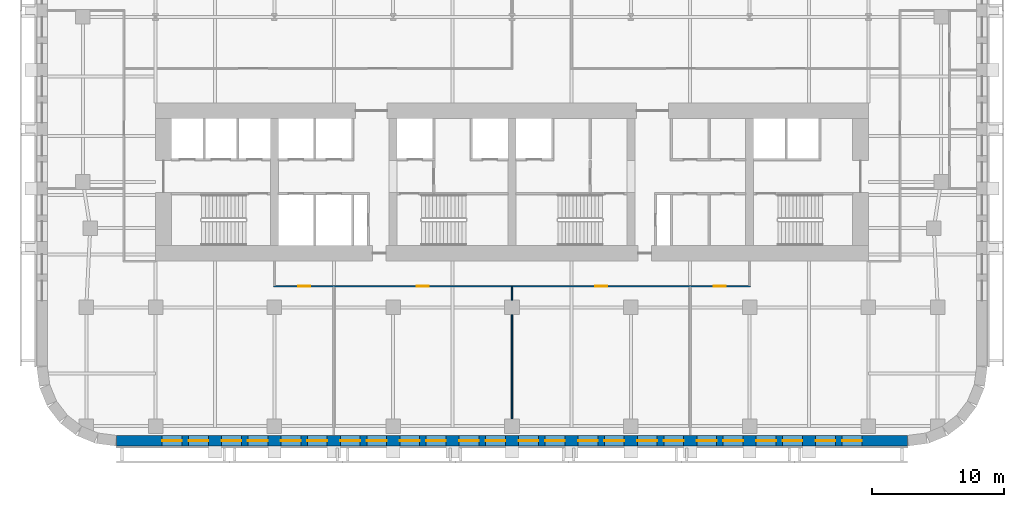
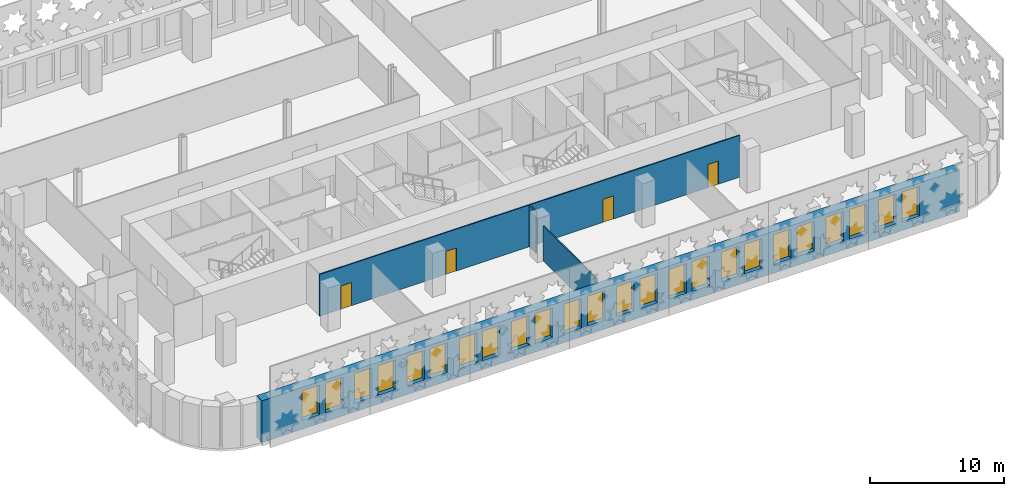
# One storey, part 5 of 15: 24 windows, 4 doors, 4 walls, 28 openings.
"""IFC4 building model written with IfcOpenShell, lengths in metres."""

from ifc_helpers import new_model, si_unit, direction, frame, frame_2d, origin, place, context, subcontext, project, spatial, rectangle, extrude, material, layer, layer_set, type_object, element, fill, save


model = new_model("IFC4")

# Units and contexts
model_context = context("Model", 3, precision=1e-05, world=origin(), true_north=direction((0.0, 1.0)))
body_context = subcontext(model_context, "Body", "Model", "MODEL_VIEW")
ifc_project = project(units=[si_unit("LENGTHUNIT", "METRE"), si_unit("AREAUNIT", "SQUARE_METRE"), si_unit("VOLUMEUNIT", "CUBIC_METRE"), si_unit("PLANEANGLEUNIT", "RADIAN"), si_unit("MASSUNIT", "GRAM", prefix="KILO")], contexts=[model_context])

# Site, building, storey
site_placement = place(None, origin())
site = spatial("IfcSite", under=ifc_project, at=site_placement, CompositionType="ELEMENT")
building_placement = place(site_placement, origin())
building = spatial("IfcBuilding", under=site, at=building_placement, Name="Zellij Exchange Tower", CompositionType="ELEMENT")
storey_placement = place(building_placement, frame((0.0, 0.0, 84.5)))
storey = spatial("IfcBuildingStorey", under=building, at=storey_placement, Name="L17", CompositionType="ELEMENT", Elevation=84.5)

# Wall, openings, windows
ifc_material_1 = material(Name="Precast concrete C40/50", Category="concrete")
ifc_layer_1 = layer(ifc_material_1, 0.800048828125)
ifc_layer_set_1 = layer_set([ifc_layer_1], Name="Precast concrete C40/50")
wall_type_1 = type_object("IfcWallType", Name="ENV-EW1 Precast stone-piered wall 800", PredefinedType="SOLIDWALL", material=ifc_layer_set_1)
wall_1_placement = place(storey_placement, frame((-29.947509765625, -27.60009765625, 0.0), z_axis=(0.0, 0.0, 1.0), x_axis=(1.0, 0.0, 0.0)))
wall_1 = element("IfcWall", 1, at=wall_1_placement, inside=storey, type_object=wall_type_1, Name="fac.L17.00", PredefinedType="SOLIDWALL", context=body_context, shape_type="SweptSolid", body=[
    extrude(rectangle(XDim=59.89501953125, YDim=0.800048828125, at=frame_2d((29.947509765625, 0.0))), origin(), (0.0, 0.0, 1.0), 3.800048828125),
])
opening_1_placement = place(wall_1_placement, frame((3.447509765625, 0.0, 0.800048828125)))
opening_1 = element("IfcOpeningElement", 2, at=opening_1_placement, cuts=wall_1, Name="Opening FZ1.01", PredefinedType="OPENING", context=body_context, shape_type="SweptSolid", body=[
    extrude(rectangle(XDim=1.5, YDim=2.699951171875, at=frame_2d((0.75, 1.35009765625))), frame((0.0, 0.412109375, 0.0), z_axis=(0.0, -1.0, 0.0), x_axis=(1.0, 0.0, 0.0)), (0.0, 0.0, 1.0), 0.823974609375),
])
opening_2_placement = place(wall_1_placement, frame((5.447509765625, 0.0, 0.800048828125)))
opening_2 = element("IfcOpeningElement", 3, at=opening_2_placement, cuts=wall_1, Name="Opening FZ1.02", PredefinedType="OPENING", context=body_context, shape_type="SweptSolid", body=[
    extrude(rectangle(XDim=1.5, YDim=2.699951171875, at=frame_2d((0.75, 1.35009765625))), frame((0.0, 0.412109375, 0.0), z_axis=(0.0, -1.0, 0.0), x_axis=(1.0, 0.0, 0.0)), (0.0, 0.0, 1.0), 0.823974609375),
])
opening_3_placement = place(wall_1_placement, frame((7.947509765625, 0.0, 0.800048828125)))
opening_3 = element("IfcOpeningElement", 4, at=opening_3_placement, cuts=wall_1, Name="Opening FZ1.03", PredefinedType="OPENING", context=body_context, shape_type="SweptSolid", body=[
    extrude(rectangle(XDim=1.5, YDim=2.699951171875, at=frame_2d((0.75, 1.35009765625))), frame((0.0, 0.412109375, 0.0), z_axis=(0.0, -1.0, 0.0), x_axis=(1.0, 0.0, 0.0)), (0.0, 0.0, 1.0), 0.823974609375),
])
opening_4_placement = place(wall_1_placement, frame((9.947509765625, 0.0, 0.800048828125)))
opening_4 = element("IfcOpeningElement", 5, at=opening_4_placement, cuts=wall_1, Name="Opening FZ1.04", PredefinedType="OPENING", context=body_context, shape_type="SweptSolid", body=[
    extrude(rectangle(XDim=1.5, YDim=2.699951171875, at=frame_2d((0.75, 1.35009765625))), frame((0.0, 0.412109375, 0.0), z_axis=(0.0, -1.0, 0.0), x_axis=(1.0, 0.0, 0.0)), (0.0, 0.0, 1.0), 0.823974609375),
])
opening_5_placement = place(wall_1_placement, frame((12.447509765625, 0.0, 0.800048828125)))
opening_5 = element("IfcOpeningElement", 6, at=opening_5_placement, cuts=wall_1, Name="Opening FZ1.05", PredefinedType="OPENING", context=body_context, shape_type="SweptSolid", body=[
    extrude(rectangle(XDim=1.5, YDim=2.699951171875, at=frame_2d((0.75, 1.35009765625))), frame((0.0, 0.412109375, 0.0), z_axis=(0.0, -1.0, 0.0), x_axis=(1.0, 0.0, 0.0)), (0.0, 0.0, 1.0), 0.823974609375),
])
opening_6_placement = place(wall_1_placement, frame((14.447509765625, 0.0, 0.800048828125)))
opening_6 = element("IfcOpeningElement", 7, at=opening_6_placement, cuts=wall_1, Name="Opening FZ1.06", PredefinedType="OPENING", context=body_context, shape_type="SweptSolid", body=[
    extrude(rectangle(XDim=1.5, YDim=2.699951171875, at=frame_2d((0.75, 1.35009765625))), frame((0.0, 0.412109375, 0.0), z_axis=(0.0, -1.0, 0.0), x_axis=(1.0, 0.0, 0.0)), (0.0, 0.0, 1.0), 0.823974609375),
])
opening_7_placement = place(wall_1_placement, frame((16.947509765625, 0.0, 0.800048828125)))
opening_7 = element("IfcOpeningElement", 8, at=opening_7_placement, cuts=wall_1, Name="Opening FZ1.07", PredefinedType="OPENING", context=body_context, shape_type="SweptSolid", body=[
    extrude(rectangle(XDim=1.5, YDim=2.699951171875, at=frame_2d((0.75, 1.35009765625))), frame((0.0, 0.412109375, 0.0), z_axis=(0.0, -1.0, 0.0), x_axis=(1.0, 0.0, 0.0)), (0.0, 0.0, 1.0), 0.823974609375),
])
opening_8_placement = place(wall_1_placement, frame((18.947509765625, 0.0, 0.800048828125)))
opening_8 = element("IfcOpeningElement", 9, at=opening_8_placement, cuts=wall_1, Name="Opening FZ1.08", PredefinedType="OPENING", context=body_context, shape_type="SweptSolid", body=[
    extrude(rectangle(XDim=1.5, YDim=2.699951171875, at=frame_2d((0.75, 1.35009765625))), frame((0.0, 0.412109375, 0.0), z_axis=(0.0, -1.0, 0.0), x_axis=(1.0, 0.0, 0.0)), (0.0, 0.0, 1.0), 0.823974609375),
])
opening_9_placement = place(wall_1_placement, frame((21.447509765625, 0.0, 0.800048828125)))
opening_9 = element("IfcOpeningElement", 10, at=opening_9_placement, cuts=wall_1, Name="Opening FZ1.09", PredefinedType="OPENING", context=body_context, shape_type="SweptSolid", body=[
    extrude(rectangle(XDim=1.5, YDim=2.699951171875, at=frame_2d((0.75, 1.35009765625))), frame((0.0, 0.412109375, 0.0), z_axis=(0.0, -1.0, 0.0), x_axis=(1.0, 0.0, 0.0)), (0.0, 0.0, 1.0), 0.823974609375),
])
opening_10_placement = place(wall_1_placement, frame((23.447509765625, 0.0, 0.800048828125)))
opening_10 = element("IfcOpeningElement", 11, at=opening_10_placement, cuts=wall_1, Name="Opening FZ1.10", PredefinedType="OPENING", context=body_context, shape_type="SweptSolid", body=[
    extrude(rectangle(XDim=1.5, YDim=2.699951171875, at=frame_2d((0.75, 1.35009765625))), frame((0.0, 0.412109375, 0.0), z_axis=(0.0, -1.0, 0.0), x_axis=(1.0, 0.0, 0.0)), (0.0, 0.0, 1.0), 0.823974609375),
])
opening_11_placement = place(wall_1_placement, frame((25.947509765625, 0.0, 0.800048828125)))
opening_11 = element("IfcOpeningElement", 12, at=opening_11_placement, cuts=wall_1, Name="Opening FZ1.11", PredefinedType="OPENING", context=body_context, shape_type="SweptSolid", body=[
    extrude(rectangle(XDim=1.5, YDim=2.699951171875, at=frame_2d((0.75, 1.35009765625))), frame((0.0, 0.412109375, 0.0), z_axis=(0.0, -1.0, 0.0), x_axis=(1.0, 0.0, 0.0)), (0.0, 0.0, 1.0), 0.823974609375),
])
opening_12_placement = place(wall_1_placement, frame((27.947509765625, 0.0, 0.800048828125)))
opening_12 = element("IfcOpeningElement", 13, at=opening_12_placement, cuts=wall_1, Name="Opening FZ1.12", PredefinedType="OPENING", context=body_context, shape_type="SweptSolid", body=[
    extrude(rectangle(XDim=1.5, YDim=2.699951171875, at=frame_2d((0.75, 1.35009765625))), frame((0.0, 0.412109375, 0.0), z_axis=(0.0, -1.0, 0.0), x_axis=(1.0, 0.0, 0.0)), (0.0, 0.0, 1.0), 0.823974609375),
])
opening_13_placement = place(wall_1_placement, frame((30.447509765625, 0.0, 0.800048828125)))
opening_13 = element("IfcOpeningElement", 14, at=opening_13_placement, cuts=wall_1, Name="Opening FZ1.13", PredefinedType="OPENING", context=body_context, shape_type="SweptSolid", body=[
    extrude(rectangle(XDim=1.5, YDim=2.699951171875, at=frame_2d((0.75, 1.35009765625))), frame((0.0, 0.412109375, 0.0), z_axis=(0.0, -1.0, 0.0), x_axis=(1.0, 0.0, 0.0)), (0.0, 0.0, 1.0), 0.823974609375),
])
opening_14_placement = place(wall_1_placement, frame((32.447509765625, 0.0, 0.800048828125)))
opening_14 = element("IfcOpeningElement", 15, at=opening_14_placement, cuts=wall_1, Name="Opening FZ1.14", PredefinedType="OPENING", context=body_context, shape_type="SweptSolid", body=[
    extrude(rectangle(XDim=1.5, YDim=2.699951171875, at=frame_2d((0.75, 1.35009765625))), frame((0.0, 0.412109375, 0.0), z_axis=(0.0, -1.0, 0.0), x_axis=(1.0, 0.0, 0.0)), (0.0, 0.0, 1.0), 0.823974609375),
])
opening_15_placement = place(wall_1_placement, frame((34.947509765625, 0.0, 0.800048828125)))
opening_15 = element("IfcOpeningElement", 16, at=opening_15_placement, cuts=wall_1, Name="Opening FZ1.15", PredefinedType="OPENING", context=body_context, shape_type="SweptSolid", body=[
    extrude(rectangle(XDim=1.5, YDim=2.699951171875, at=frame_2d((0.75, 1.35009765625))), frame((0.0, 0.412109375, 0.0), z_axis=(0.0, -1.0, 0.0), x_axis=(1.0, 0.0, 0.0)), (0.0, 0.0, 1.0), 0.823974609375),
])
opening_16_placement = place(wall_1_placement, frame((36.947509765625, 0.0, 0.800048828125)))
opening_16 = element("IfcOpeningElement", 17, at=opening_16_placement, cuts=wall_1, Name="Opening FZ1.16", PredefinedType="OPENING", context=body_context, shape_type="SweptSolid", body=[
    extrude(rectangle(XDim=1.5, YDim=2.699951171875, at=frame_2d((0.75, 1.35009765625))), frame((0.0, 0.412109375, 0.0), z_axis=(0.0, -1.0, 0.0), x_axis=(1.0, 0.0, 0.0)), (0.0, 0.0, 1.0), 0.823974609375),
])
opening_17_placement = place(wall_1_placement, frame((39.447509765625, 0.0, 0.800048828125)))
opening_17 = element("IfcOpeningElement", 18, at=opening_17_placement, cuts=wall_1, Name="Opening FZ1.17", PredefinedType="OPENING", context=body_context, shape_type="SweptSolid", body=[
    extrude(rectangle(XDim=1.5, YDim=2.699951171875, at=frame_2d((0.75, 1.35009765625))), frame((0.0, 0.412109375, 0.0), z_axis=(0.0, -1.0, 0.0), x_axis=(1.0, 0.0, 0.0)), (0.0, 0.0, 1.0), 0.823974609375),
])
opening_18_placement = place(wall_1_placement, frame((41.447509765625, 0.0, 0.800048828125)))
opening_18 = element("IfcOpeningElement", 19, at=opening_18_placement, cuts=wall_1, Name="Opening FZ1.18", PredefinedType="OPENING", context=body_context, shape_type="SweptSolid", body=[
    extrude(rectangle(XDim=1.5, YDim=2.699951171875, at=frame_2d((0.75, 1.35009765625))), frame((0.0, 0.412109375, 0.0), z_axis=(0.0, -1.0, 0.0), x_axis=(1.0, 0.0, 0.0)), (0.0, 0.0, 1.0), 0.823974609375),
])
opening_19_placement = place(wall_1_placement, frame((43.947509765625, 0.0, 0.800048828125)))
opening_19 = element("IfcOpeningElement", 20, at=opening_19_placement, cuts=wall_1, Name="Opening FZ1.19", PredefinedType="OPENING", context=body_context, shape_type="SweptSolid", body=[
    extrude(rectangle(XDim=1.5, YDim=2.699951171875, at=frame_2d((0.75, 1.35009765625))), frame((0.0, 0.412109375, 0.0), z_axis=(0.0, -1.0, 0.0), x_axis=(1.0, 0.0, 0.0)), (0.0, 0.0, 1.0), 0.823974609375),
])
opening_20_placement = place(wall_1_placement, frame((45.947509765625, 0.0, 0.800048828125)))
opening_20 = element("IfcOpeningElement", 21, at=opening_20_placement, cuts=wall_1, Name="Opening FZ1.20", PredefinedType="OPENING", context=body_context, shape_type="SweptSolid", body=[
    extrude(rectangle(XDim=1.5, YDim=2.699951171875, at=frame_2d((0.75, 1.35009765625))), frame((0.0, 0.412109375, 0.0), z_axis=(0.0, -1.0, 0.0), x_axis=(1.0, 0.0, 0.0)), (0.0, 0.0, 1.0), 0.823974609375),
])
opening_21_placement = place(wall_1_placement, frame((48.447509765625, 0.0, 0.800048828125)))
opening_21 = element("IfcOpeningElement", 22, at=opening_21_placement, cuts=wall_1, Name="Opening FZ1.21", PredefinedType="OPENING", context=body_context, shape_type="SweptSolid", body=[
    extrude(rectangle(XDim=1.5, YDim=2.699951171875, at=frame_2d((0.75, 1.35009765625))), frame((0.0, 0.412109375, 0.0), z_axis=(0.0, -1.0, 0.0), x_axis=(1.0, 0.0, 0.0)), (0.0, 0.0, 1.0), 0.823974609375),
])
opening_22_placement = place(wall_1_placement, frame((50.447509765625, 0.0, 0.800048828125)))
opening_22 = element("IfcOpeningElement", 23, at=opening_22_placement, cuts=wall_1, Name="Opening FZ1.22", PredefinedType="OPENING", context=body_context, shape_type="SweptSolid", body=[
    extrude(rectangle(XDim=1.5, YDim=2.699951171875, at=frame_2d((0.75, 1.35009765625))), frame((0.0, 0.412109375, 0.0), z_axis=(0.0, -1.0, 0.0), x_axis=(1.0, 0.0, 0.0)), (0.0, 0.0, 1.0), 0.823974609375),
])
opening_23_placement = place(wall_1_placement, frame((52.947509765625, 0.0, 0.800048828125)))
opening_23 = element("IfcOpeningElement", 24, at=opening_23_placement, cuts=wall_1, Name="Opening FZ1.23", PredefinedType="OPENING", context=body_context, shape_type="SweptSolid", body=[
    extrude(rectangle(XDim=1.5, YDim=2.699951171875, at=frame_2d((0.75, 1.35009765625))), frame((0.0, 0.412109375, 0.0), z_axis=(0.0, -1.0, 0.0), x_axis=(1.0, 0.0, 0.0)), (0.0, 0.0, 1.0), 0.823974609375),
])
opening_24_placement = place(wall_1_placement, frame((54.947509765625, 0.0, 0.800048828125)))
opening_24 = element("IfcOpeningElement", 25, at=opening_24_placement, cuts=wall_1, Name="Opening FZ1.24", PredefinedType="OPENING", context=body_context, shape_type="SweptSolid", body=[
    extrude(rectangle(XDim=1.5, YDim=2.699951171875, at=frame_2d((0.75, 1.35009765625))), frame((0.0, 0.412109375, 0.0), z_axis=(0.0, -1.0, 0.0), x_axis=(1.0, 0.0, 0.0)), (0.0, 0.0, 1.0), 0.823974609375),
])
ifc_material_2 = material(Name="Aluminium frame with insulating glass", Category="aluminium")
window_type = type_object("IfcWindowType", Name="ENV-W6 Window 1500x2700", PartitioningType="SINGLE_PANEL", PredefinedType="WINDOW", material=ifc_material_2)
window_1_placement = place(opening_1_placement, origin())
window_1 = element("IfcWindow", 26, at=window_1_placement, inside=storey, type_object=window_type, Name="Window FZ1.01", OverallHeight=2.699951171875, OverallWidth=1.5, PartitioningType="SINGLE_PANEL", PredefinedType="WINDOW", context=body_context, shape_type="SweptSolid", body=[
    extrude(rectangle(XDim=1.5, YDim=2.699951171875, at=frame_2d((0.75, 1.35009765625))), frame((0.0, 0.030029296875, 0.0), z_axis=(0.0, -1.0, 0.0), x_axis=(1.0, 0.0, 0.0)), (0.0, 0.0, 1.0), 0.06005859375),
])
fill(opening_1, window_1)
window_2_placement = place(opening_2_placement, origin())
window_2 = element("IfcWindow", 27, at=window_2_placement, inside=storey, type_object=window_type, Name="Window FZ1.02", OverallHeight=2.699951171875, OverallWidth=1.5, PartitioningType="SINGLE_PANEL", PredefinedType="WINDOW", context=body_context, shape_type="SweptSolid", body=[
    extrude(rectangle(XDim=1.5, YDim=2.699951171875, at=frame_2d((0.75, 1.35009765625))), frame((0.0, 0.030029296875, 0.0), z_axis=(0.0, -1.0, 0.0), x_axis=(1.0, 0.0, 0.0)), (0.0, 0.0, 1.0), 0.06005859375),
])
fill(opening_2, window_2)
window_3_placement = place(opening_3_placement, origin())
window_3 = element("IfcWindow", 28, at=window_3_placement, inside=storey, type_object=window_type, Name="Window FZ1.03", OverallHeight=2.699951171875, OverallWidth=1.5, PartitioningType="SINGLE_PANEL", PredefinedType="WINDOW", context=body_context, shape_type="SweptSolid", body=[
    extrude(rectangle(XDim=1.5, YDim=2.699951171875, at=frame_2d((0.75, 1.35009765625))), frame((0.0, 0.030029296875, 0.0), z_axis=(0.0, -1.0, 0.0), x_axis=(1.0, 0.0, 0.0)), (0.0, 0.0, 1.0), 0.06005859375),
])
fill(opening_3, window_3)
window_4_placement = place(opening_4_placement, origin())
window_4 = element("IfcWindow", 29, at=window_4_placement, inside=storey, type_object=window_type, Name="Window FZ1.04", OverallHeight=2.699951171875, OverallWidth=1.5, PartitioningType="SINGLE_PANEL", PredefinedType="WINDOW", context=body_context, shape_type="SweptSolid", body=[
    extrude(rectangle(XDim=1.5, YDim=2.699951171875, at=frame_2d((0.75, 1.35009765625))), frame((0.0, 0.030029296875, 0.0), z_axis=(0.0, -1.0, 0.0), x_axis=(1.0, 0.0, 0.0)), (0.0, 0.0, 1.0), 0.06005859375),
])
fill(opening_4, window_4)
window_5_placement = place(opening_5_placement, origin())
window_5 = element("IfcWindow", 30, at=window_5_placement, inside=storey, type_object=window_type, Name="Window FZ1.05", OverallHeight=2.699951171875, OverallWidth=1.5, PartitioningType="SINGLE_PANEL", PredefinedType="WINDOW", context=body_context, shape_type="SweptSolid", body=[
    extrude(rectangle(XDim=1.5, YDim=2.699951171875, at=frame_2d((0.75, 1.35009765625))), frame((0.0, 0.030029296875, 0.0), z_axis=(0.0, -1.0, 0.0), x_axis=(1.0, 0.0, 0.0)), (0.0, 0.0, 1.0), 0.06005859375),
])
fill(opening_5, window_5)
window_6_placement = place(opening_6_placement, origin())
window_6 = element("IfcWindow", 31, at=window_6_placement, inside=storey, type_object=window_type, Name="Window FZ1.06", OverallHeight=2.699951171875, OverallWidth=1.5, PartitioningType="SINGLE_PANEL", PredefinedType="WINDOW", context=body_context, shape_type="SweptSolid", body=[
    extrude(rectangle(XDim=1.5, YDim=2.699951171875, at=frame_2d((0.75, 1.35009765625))), frame((0.0, 0.030029296875, 0.0), z_axis=(0.0, -1.0, 0.0), x_axis=(1.0, 0.0, 0.0)), (0.0, 0.0, 1.0), 0.06005859375),
])
fill(opening_6, window_6)
window_7_placement = place(opening_7_placement, origin())
window_7 = element("IfcWindow", 32, at=window_7_placement, inside=storey, type_object=window_type, Name="Window FZ1.07", OverallHeight=2.699951171875, OverallWidth=1.5, PartitioningType="SINGLE_PANEL", PredefinedType="WINDOW", context=body_context, shape_type="SweptSolid", body=[
    extrude(rectangle(XDim=1.5, YDim=2.699951171875, at=frame_2d((0.75, 1.35009765625))), frame((0.0, 0.030029296875, 0.0), z_axis=(0.0, -1.0, 0.0), x_axis=(1.0, 0.0, 0.0)), (0.0, 0.0, 1.0), 0.06005859375),
])
fill(opening_7, window_7)
window_8_placement = place(opening_8_placement, origin())
window_8 = element("IfcWindow", 33, at=window_8_placement, inside=storey, type_object=window_type, Name="Window FZ1.08", OverallHeight=2.699951171875, OverallWidth=1.5, PartitioningType="SINGLE_PANEL", PredefinedType="WINDOW", context=body_context, shape_type="SweptSolid", body=[
    extrude(rectangle(XDim=1.5, YDim=2.699951171875, at=frame_2d((0.75, 1.35009765625))), frame((0.0, 0.030029296875, 0.0), z_axis=(0.0, -1.0, 0.0), x_axis=(1.0, 0.0, 0.0)), (0.0, 0.0, 1.0), 0.06005859375),
])
fill(opening_8, window_8)
window_9_placement = place(opening_9_placement, origin())
window_9 = element("IfcWindow", 34, at=window_9_placement, inside=storey, type_object=window_type, Name="Window FZ1.09", OverallHeight=2.699951171875, OverallWidth=1.5, PartitioningType="SINGLE_PANEL", PredefinedType="WINDOW", context=body_context, shape_type="SweptSolid", body=[
    extrude(rectangle(XDim=1.5, YDim=2.699951171875, at=frame_2d((0.75, 1.35009765625))), frame((0.0, 0.030029296875, 0.0), z_axis=(0.0, -1.0, 0.0), x_axis=(1.0, 0.0, 0.0)), (0.0, 0.0, 1.0), 0.06005859375),
])
fill(opening_9, window_9)
window_10_placement = place(opening_10_placement, origin())
window_10 = element("IfcWindow", 35, at=window_10_placement, inside=storey, type_object=window_type, Name="Window FZ1.10", OverallHeight=2.699951171875, OverallWidth=1.5, PartitioningType="SINGLE_PANEL", PredefinedType="WINDOW", context=body_context, shape_type="SweptSolid", body=[
    extrude(rectangle(XDim=1.5, YDim=2.699951171875, at=frame_2d((0.75, 1.35009765625))), frame((0.0, 0.030029296875, 0.0), z_axis=(0.0, -1.0, 0.0), x_axis=(1.0, 0.0, 0.0)), (0.0, 0.0, 1.0), 0.06005859375),
])
fill(opening_10, window_10)
window_11_placement = place(opening_11_placement, origin())
window_11 = element("IfcWindow", 36, at=window_11_placement, inside=storey, type_object=window_type, Name="Window FZ1.11", OverallHeight=2.699951171875, OverallWidth=1.5, PartitioningType="SINGLE_PANEL", PredefinedType="WINDOW", context=body_context, shape_type="SweptSolid", body=[
    extrude(rectangle(XDim=1.5, YDim=2.699951171875, at=frame_2d((0.75, 1.35009765625))), frame((0.0, 0.030029296875, 0.0), z_axis=(0.0, -1.0, 0.0), x_axis=(1.0, 0.0, 0.0)), (0.0, 0.0, 1.0), 0.06005859375),
])
fill(opening_11, window_11)
window_12_placement = place(opening_12_placement, origin())
window_12 = element("IfcWindow", 37, at=window_12_placement, inside=storey, type_object=window_type, Name="Window FZ1.12", OverallHeight=2.699951171875, OverallWidth=1.5, PartitioningType="SINGLE_PANEL", PredefinedType="WINDOW", context=body_context, shape_type="SweptSolid", body=[
    extrude(rectangle(XDim=1.5, YDim=2.699951171875, at=frame_2d((0.75, 1.35009765625))), frame((0.0, 0.030029296875, 0.0), z_axis=(0.0, -1.0, 0.0), x_axis=(1.0, 0.0, 0.0)), (0.0, 0.0, 1.0), 0.06005859375),
])
fill(opening_12, window_12)
window_13_placement = place(opening_13_placement, origin())
window_13 = element("IfcWindow", 38, at=window_13_placement, inside=storey, type_object=window_type, Name="Window FZ1.13", OverallHeight=2.699951171875, OverallWidth=1.5, PartitioningType="SINGLE_PANEL", PredefinedType="WINDOW", context=body_context, shape_type="SweptSolid", body=[
    extrude(rectangle(XDim=1.5, YDim=2.699951171875, at=frame_2d((0.75, 1.35009765625))), frame((0.0, 0.030029296875, 0.0), z_axis=(0.0, -1.0, 0.0), x_axis=(1.0, 0.0, 0.0)), (0.0, 0.0, 1.0), 0.06005859375),
])
fill(opening_13, window_13)
window_14_placement = place(opening_14_placement, origin())
window_14 = element("IfcWindow", 39, at=window_14_placement, inside=storey, type_object=window_type, Name="Window FZ1.14", OverallHeight=2.699951171875, OverallWidth=1.5, PartitioningType="SINGLE_PANEL", PredefinedType="WINDOW", context=body_context, shape_type="SweptSolid", body=[
    extrude(rectangle(XDim=1.5, YDim=2.699951171875, at=frame_2d((0.75, 1.35009765625))), frame((0.0, 0.030029296875, 0.0), z_axis=(0.0, -1.0, 0.0), x_axis=(1.0, 0.0, 0.0)), (0.0, 0.0, 1.0), 0.06005859375),
])
fill(opening_14, window_14)
window_15_placement = place(opening_15_placement, origin())
window_15 = element("IfcWindow", 40, at=window_15_placement, inside=storey, type_object=window_type, Name="Window FZ1.15", OverallHeight=2.699951171875, OverallWidth=1.5, PartitioningType="SINGLE_PANEL", PredefinedType="WINDOW", context=body_context, shape_type="SweptSolid", body=[
    extrude(rectangle(XDim=1.5, YDim=2.699951171875, at=frame_2d((0.75, 1.35009765625))), frame((0.0, 0.030029296875, 0.0), z_axis=(0.0, -1.0, 0.0), x_axis=(1.0, 0.0, 0.0)), (0.0, 0.0, 1.0), 0.06005859375),
])
fill(opening_15, window_15)
window_16_placement = place(opening_16_placement, origin())
window_16 = element("IfcWindow", 41, at=window_16_placement, inside=storey, type_object=window_type, Name="Window FZ1.16", OverallHeight=2.699951171875, OverallWidth=1.5, PartitioningType="SINGLE_PANEL", PredefinedType="WINDOW", context=body_context, shape_type="SweptSolid", body=[
    extrude(rectangle(XDim=1.5, YDim=2.699951171875, at=frame_2d((0.75, 1.35009765625))), frame((0.0, 0.030029296875, 0.0), z_axis=(0.0, -1.0, 0.0), x_axis=(1.0, 0.0, 0.0)), (0.0, 0.0, 1.0), 0.06005859375),
])
fill(opening_16, window_16)
window_17_placement = place(opening_17_placement, origin())
window_17 = element("IfcWindow", 42, at=window_17_placement, inside=storey, type_object=window_type, Name="Window FZ1.17", OverallHeight=2.699951171875, OverallWidth=1.5, PartitioningType="SINGLE_PANEL", PredefinedType="WINDOW", context=body_context, shape_type="SweptSolid", body=[
    extrude(rectangle(XDim=1.5, YDim=2.699951171875, at=frame_2d((0.75, 1.35009765625))), frame((0.0, 0.030029296875, 0.0), z_axis=(0.0, -1.0, 0.0), x_axis=(1.0, 0.0, 0.0)), (0.0, 0.0, 1.0), 0.06005859375),
])
fill(opening_17, window_17)
window_18_placement = place(opening_18_placement, origin())
window_18 = element("IfcWindow", 43, at=window_18_placement, inside=storey, type_object=window_type, Name="Window FZ1.18", OverallHeight=2.699951171875, OverallWidth=1.5, PartitioningType="SINGLE_PANEL", PredefinedType="WINDOW", context=body_context, shape_type="SweptSolid", body=[
    extrude(rectangle(XDim=1.5, YDim=2.699951171875, at=frame_2d((0.75, 1.35009765625))), frame((0.0, 0.030029296875, 0.0), z_axis=(0.0, -1.0, 0.0), x_axis=(1.0, 0.0, 0.0)), (0.0, 0.0, 1.0), 0.06005859375),
])
fill(opening_18, window_18)
window_19_placement = place(opening_19_placement, origin())
window_19 = element("IfcWindow", 44, at=window_19_placement, inside=storey, type_object=window_type, Name="Window FZ1.19", OverallHeight=2.699951171875, OverallWidth=1.5, PartitioningType="SINGLE_PANEL", PredefinedType="WINDOW", context=body_context, shape_type="SweptSolid", body=[
    extrude(rectangle(XDim=1.5, YDim=2.699951171875, at=frame_2d((0.75, 1.35009765625))), frame((0.0, 0.030029296875, 0.0), z_axis=(0.0, -1.0, 0.0), x_axis=(1.0, 0.0, 0.0)), (0.0, 0.0, 1.0), 0.06005859375),
])
fill(opening_19, window_19)
window_20_placement = place(opening_20_placement, origin())
window_20 = element("IfcWindow", 45, at=window_20_placement, inside=storey, type_object=window_type, Name="Window FZ1.20", OverallHeight=2.699951171875, OverallWidth=1.5, PartitioningType="SINGLE_PANEL", PredefinedType="WINDOW", context=body_context, shape_type="SweptSolid", body=[
    extrude(rectangle(XDim=1.5, YDim=2.699951171875, at=frame_2d((0.75, 1.35009765625))), frame((0.0, 0.030029296875, 0.0), z_axis=(0.0, -1.0, 0.0), x_axis=(1.0, 0.0, 0.0)), (0.0, 0.0, 1.0), 0.06005859375),
])
fill(opening_20, window_20)
window_21_placement = place(opening_21_placement, origin())
window_21 = element("IfcWindow", 46, at=window_21_placement, inside=storey, type_object=window_type, Name="Window FZ1.21", OverallHeight=2.699951171875, OverallWidth=1.5, PartitioningType="SINGLE_PANEL", PredefinedType="WINDOW", context=body_context, shape_type="SweptSolid", body=[
    extrude(rectangle(XDim=1.5, YDim=2.699951171875, at=frame_2d((0.75, 1.35009765625))), frame((0.0, 0.030029296875, 0.0), z_axis=(0.0, -1.0, 0.0), x_axis=(1.0, 0.0, 0.0)), (0.0, 0.0, 1.0), 0.06005859375),
])
fill(opening_21, window_21)
window_22_placement = place(opening_22_placement, origin())
window_22 = element("IfcWindow", 47, at=window_22_placement, inside=storey, type_object=window_type, Name="Window FZ1.22", OverallHeight=2.699951171875, OverallWidth=1.5, PartitioningType="SINGLE_PANEL", PredefinedType="WINDOW", context=body_context, shape_type="SweptSolid", body=[
    extrude(rectangle(XDim=1.5, YDim=2.699951171875, at=frame_2d((0.75, 1.35009765625))), frame((0.0, 0.030029296875, 0.0), z_axis=(0.0, -1.0, 0.0), x_axis=(1.0, 0.0, 0.0)), (0.0, 0.0, 1.0), 0.06005859375),
])
fill(opening_22, window_22)
window_23_placement = place(opening_23_placement, origin())
window_23 = element("IfcWindow", 48, at=window_23_placement, inside=storey, type_object=window_type, Name="Window FZ1.23", OverallHeight=2.699951171875, OverallWidth=1.5, PartitioningType="SINGLE_PANEL", PredefinedType="WINDOW", context=body_context, shape_type="SweptSolid", body=[
    extrude(rectangle(XDim=1.5, YDim=2.699951171875, at=frame_2d((0.75, 1.35009765625))), frame((0.0, 0.030029296875, 0.0), z_axis=(0.0, -1.0, 0.0), x_axis=(1.0, 0.0, 0.0)), (0.0, 0.0, 1.0), 0.06005859375),
])
fill(opening_23, window_23)
window_24_placement = place(opening_24_placement, origin())
window_24 = element("IfcWindow", 49, at=window_24_placement, inside=storey, type_object=window_type, Name="Window FZ1.24", OverallHeight=2.699951171875, OverallWidth=1.5, PartitioningType="SINGLE_PANEL", PredefinedType="WINDOW", context=body_context, shape_type="SweptSolid", body=[
    extrude(rectangle(XDim=1.5, YDim=2.699951171875, at=frame_2d((0.75, 1.35009765625))), frame((0.0, 0.030029296875, 0.0), z_axis=(0.0, -1.0, 0.0), x_axis=(1.0, 0.0, 0.0)), (0.0, 0.0, 1.0), 0.06005859375),
])
fill(opening_24, window_24)

# Walls
ifc_material_3 = material(Name="Gypsum board partition on steel studs", Category="steel")
ifc_layer_2 = layer(ifc_material_3, 0.10009765625)
ifc_layer_set_2 = layer_set([ifc_layer_2], Name="Gypsum board partition on steel studs")
wall_type_2 = type_object("IfcWallType", Name="FIT-PARTITION-100", PredefinedType="PARTITIONING", material=ifc_layer_set_2)
wall_2_placement = place(storey_placement, frame((0.0, -25.949951171875, 0.0), z_axis=(0.0, 0.0, 1.0), x_axis=(0.0, 1.0, 0.0)))
element("IfcWall", 50, at=wall_2_placement, inside=storey, type_object=wall_type_2, Name="FIT-PARTITION-100 003", PredefinedType="PARTITIONING", context=body_context, shape_type="SweptSolid", body=[
    extrude(rectangle(XDim=7.89990234375, YDim=0.10009765625, at=frame_2d((3.949951171875, 0.0))), origin(), (0.0, 0.0, 1.0), 3.18798828125),
])
wall_3_placement = place(storey_placement, frame((0.0, -16.949951171875, 0.0), z_axis=(0.0, 0.0, 1.0), x_axis=(0.0, 1.0, 0.0)))
element("IfcWall", 51, at=wall_3_placement, inside=storey, type_object=wall_type_2, Name="FIT-PARTITION-100 004", PredefinedType="PARTITIONING", context=body_context, shape_type="SweptSolid", body=[
    extrude(rectangle(XDim=1.0, YDim=0.10009765625, at=frame_2d((0.5, 0.0))), origin(), (0.0, 0.0, 1.0), 3.800048828125),
])

# Wall, openings, doors
wall_4_placement = place(storey_placement, frame((-18.050048828125, -15.89990234375, 0.0), z_axis=(0.0, 0.0, 1.0), x_axis=(1.0, 0.0, 0.0)))
wall_4 = element("IfcWall", 52, at=wall_4_placement, inside=storey, type_object=wall_type_2, Name="FIT-PARTITION-100 007", PredefinedType="PARTITIONING", context=body_context, shape_type="SweptSolid", body=[
    extrude(rectangle(XDim=36.10009765625, YDim=0.10009765625, at=frame_2d((18.050048828125, 0.0))), origin(), (0.0, 0.0, 1.0), 3.800048828125),
])
opening_25_placement = place(wall_4_placement, frame((1.85009765625, 0.0, 0.0)))
opening_25 = element("IfcOpeningElement", 53, at=opening_25_placement, cuts=wall_4, Name="Opening TC.01", PredefinedType="OPENING", context=body_context, shape_type="SweptSolid", body=[
    extrude(rectangle(XDim=0.89990234375, YDim=2.10009765625, at=frame_2d((0.449951171875, 1.050048828125))), frame((0.0, 0.06201171875, 0.0), z_axis=(0.0, -1.0, 0.0), x_axis=(1.0, 0.0, 0.0)), (0.0, 0.0, 1.0), 0.1240234375),
])
opening_26_placement = place(wall_4_placement, frame((10.85009765625, 0.0, 0.0)))
opening_26 = element("IfcOpeningElement", 54, at=opening_26_placement, cuts=wall_4, Name="Opening TC.02", PredefinedType="OPENING", context=body_context, shape_type="SweptSolid", body=[
    extrude(rectangle(XDim=0.89990234375, YDim=2.10009765625, at=frame_2d((0.449951171875, 1.050048828125))), frame((0.0, 0.06201171875, 0.0), z_axis=(0.0, -1.0, 0.0), x_axis=(1.0, 0.0, 0.0)), (0.0, 0.0, 1.0), 0.1240234375),
])
opening_27_placement = place(wall_4_placement, frame((24.35009765625, 0.0, 0.0)))
opening_27 = element("IfcOpeningElement", 55, at=opening_27_placement, cuts=wall_4, Name="Opening TC.03", PredefinedType="OPENING", context=body_context, shape_type="SweptSolid", body=[
    extrude(rectangle(XDim=0.89990234375, YDim=2.10009765625, at=frame_2d((0.449951171875, 1.050048828125))), frame((0.0, 0.06201171875, 0.0), z_axis=(0.0, -1.0, 0.0), x_axis=(1.0, 0.0, 0.0)), (0.0, 0.0, 1.0), 0.1240234375),
])
opening_28_placement = place(wall_4_placement, frame((33.35009765625, 0.0, 0.0)))
opening_28 = element("IfcOpeningElement", 56, at=opening_28_placement, cuts=wall_4, Name="Opening TC.04", PredefinedType="OPENING", context=body_context, shape_type="SweptSolid", body=[
    extrude(rectangle(XDim=0.89990234375, YDim=2.10009765625, at=frame_2d((0.449951171875, 1.050048828125))), frame((0.0, 0.06201171875, 0.0), z_axis=(0.0, -1.0, 0.0), x_axis=(1.0, 0.0, 0.0)), (0.0, 0.0, 1.0), 0.1240234375),
])
ifc_material_4 = material(Name="Timber door set", Category="wood")
door_type = type_object("IfcDoorType", Name="FIT-D1-ROOM-900X2100", OperationType="SINGLE_SWING_LEFT", PredefinedType="DOOR", material=ifc_material_4)
door_1_placement = place(opening_25_placement, origin())
door_1 = element("IfcDoor", 57, at=door_1_placement, inside=storey, type_object=door_type, Name="Door TC.01", OperationType="SINGLE_SWING_LEFT", OverallHeight=2.10009765625, OverallWidth=0.89990234375, PredefinedType="DOOR", context=body_context, shape_type="SweptSolid", body=[
    extrude(rectangle(XDim=0.89990234375, YDim=2.10009765625, at=frame_2d((0.449951171875, 1.050048828125))), frame((0.0, 0.02490234375, 0.0), z_axis=(0.0, -1.0, 0.0), x_axis=(1.0, 0.0, 0.0)), (0.0, 0.0, 1.0), 0.050048828125),
])
fill(opening_25, door_1)
door_2_placement = place(opening_26_placement, origin())
door_2 = element("IfcDoor", 58, at=door_2_placement, inside=storey, type_object=door_type, Name="Door TC.02", OperationType="SINGLE_SWING_LEFT", OverallHeight=2.10009765625, OverallWidth=0.89990234375, PredefinedType="DOOR", context=body_context, shape_type="SweptSolid", body=[
    extrude(rectangle(XDim=0.89990234375, YDim=2.10009765625, at=frame_2d((0.449951171875, 1.050048828125))), frame((0.0, 0.02490234375, 0.0), z_axis=(0.0, -1.0, 0.0), x_axis=(1.0, 0.0, 0.0)), (0.0, 0.0, 1.0), 0.050048828125),
])
fill(opening_26, door_2)
door_3_placement = place(opening_27_placement, origin())
door_3 = element("IfcDoor", 59, at=door_3_placement, inside=storey, type_object=door_type, Name="Door TC.03", OperationType="SINGLE_SWING_LEFT", OverallHeight=2.10009765625, OverallWidth=0.89990234375, PredefinedType="DOOR", context=body_context, shape_type="SweptSolid", body=[
    extrude(rectangle(XDim=0.89990234375, YDim=2.10009765625, at=frame_2d((0.449951171875, 1.050048828125))), frame((0.0, 0.02490234375, 0.0), z_axis=(0.0, -1.0, 0.0), x_axis=(1.0, 0.0, 0.0)), (0.0, 0.0, 1.0), 0.050048828125),
])
fill(opening_27, door_3)
door_4_placement = place(opening_28_placement, origin())
door_4 = element("IfcDoor", 60, at=door_4_placement, inside=storey, type_object=door_type, Name="Door TC.04", OperationType="SINGLE_SWING_LEFT", OverallHeight=2.10009765625, OverallWidth=0.89990234375, PredefinedType="DOOR", context=body_context, shape_type="SweptSolid", body=[
    extrude(rectangle(XDim=0.89990234375, YDim=2.10009765625, at=frame_2d((0.449951171875, 1.050048828125))), frame((0.0, 0.02490234375, 0.0), z_axis=(0.0, -1.0, 0.0), x_axis=(1.0, 0.0, 0.0)), (0.0, 0.0, 1.0), 0.050048828125),
])
fill(opening_28, door_4)

save(model, "model.ifc")
